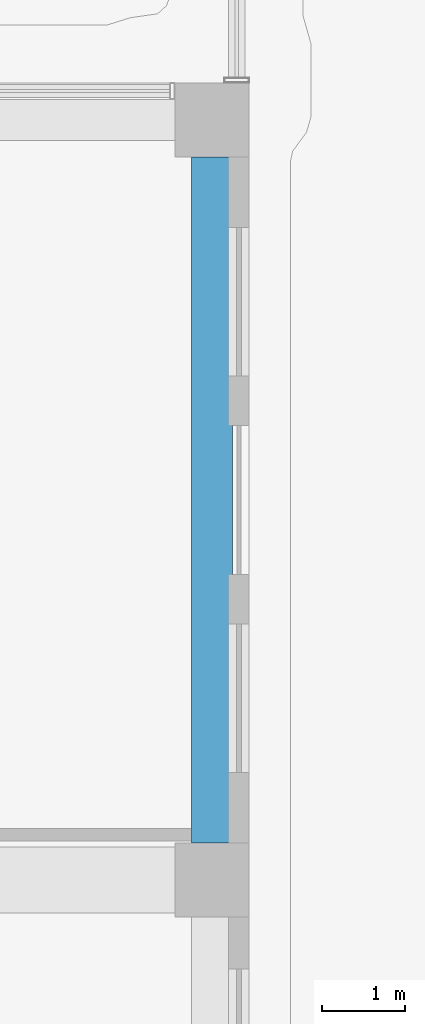
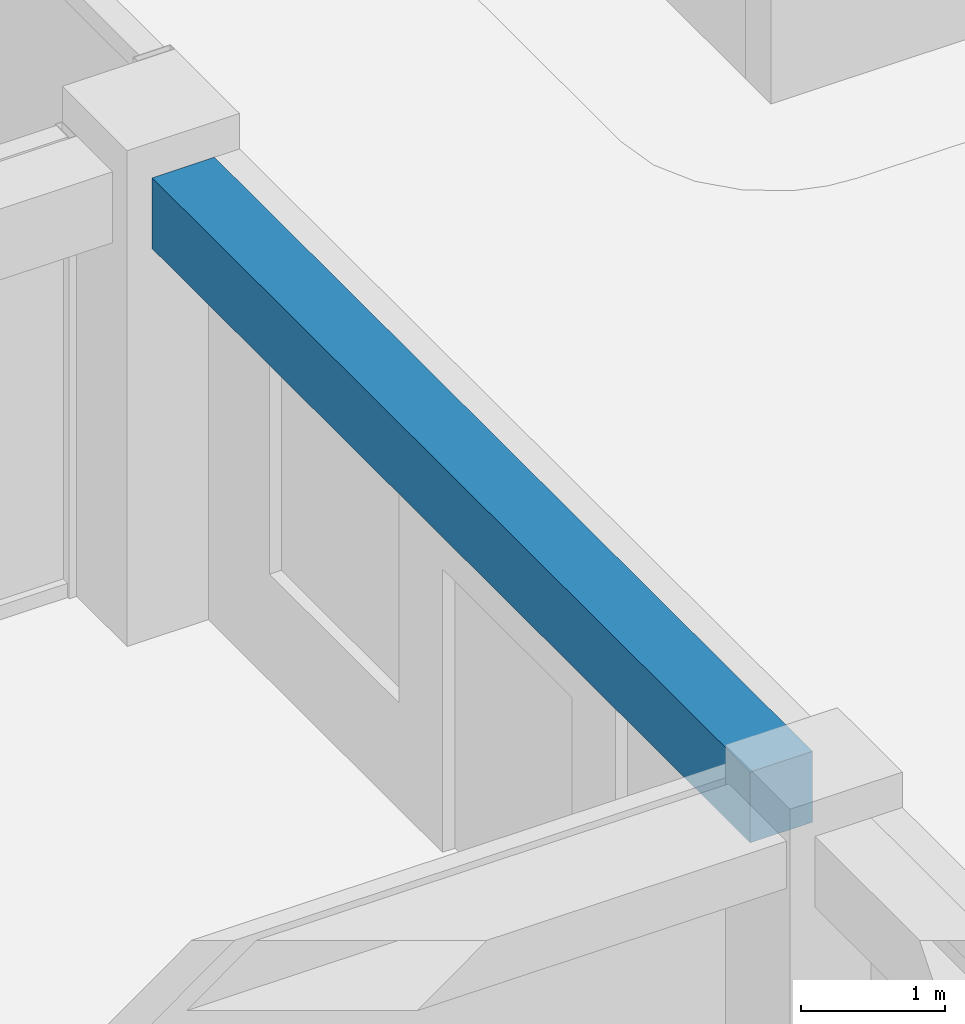
# One storey, part 15 of 72: 1 beam.
"""IFC4 building model written with IfcOpenShell, lengths in metres."""

from ifc_helpers import new_model, si_unit, direction, frame, origin, origin_2d, place, context, subcontext, project, spatial, rectangle, extrude, material, material_profile, profile_set, type_object, element, save


model = new_model("IFC4")

# Units and contexts
model_context = context("Model", 3, precision=1e-05, world=origin(), true_north=direction((0.0, 1.0)))
body_context = subcontext(model_context, "Body", "Model", "MODEL_VIEW")
ifc_project = project(units=[si_unit("LENGTHUNIT", "METRE"), si_unit("AREAUNIT", "SQUARE_METRE"), si_unit("VOLUMEUNIT", "CUBIC_METRE"), si_unit("PLANEANGLEUNIT", "RADIAN"), si_unit("MASSUNIT", "GRAM", prefix="KILO")], contexts=[model_context])

# Site, building, storey
site_placement = place(None, origin())
site = spatial("IfcSite", under=ifc_project, at=site_placement, CompositionType="ELEMENT")
building_placement = place(site_placement, origin())
building = spatial("IfcBuilding", under=site, at=building_placement, Name="Nzadi Deep Aquarium and Research Tower", CompositionType="ELEMENT")
storey_placement = place(building_placement, frame((0.0, 0.0, 31.89990234375)))
storey = spatial("IfcBuildingStorey", under=building, at=storey_placement, Name="L05", CompositionType="ELEMENT", Elevation=31.89990234375)

# Beam
ifc_material = material(Name="Concrete C35/45", Category="concrete")
ifc_material_profile = material_profile(ifc_material, rectangle(XDim=0.5, YDim=0.60009765625, at=origin_2d()))
ifc_profile_set = profile_set([ifc_material_profile], Name="Concrete C35/45")
beam_type = type_object("IfcBeamType", Name="RC 500x600", PredefinedType="BEAM", material=ifc_profile_set)
beam_placement = place(storey_placement, frame((48.0, 9.64990234375, 3.60009765625), z_axis=(0.0, 1.0, 0.0), x_axis=(-1.0, 0.0, 0.0)))
element("IfcBeam", 1, at=beam_placement, inside=storey, type_object=beam_type, Name="B-Z1-L05-CF-2-1", PredefinedType="BEAM", context=body_context, shape_type="SweptSolid", body=[
    extrude(rectangle(XDim=0.5, YDim=0.60009765625, at=origin_2d()), origin(), (0.0, 0.0, 1.0), 8.300048828125),
])

save(model, "model.ifc")
